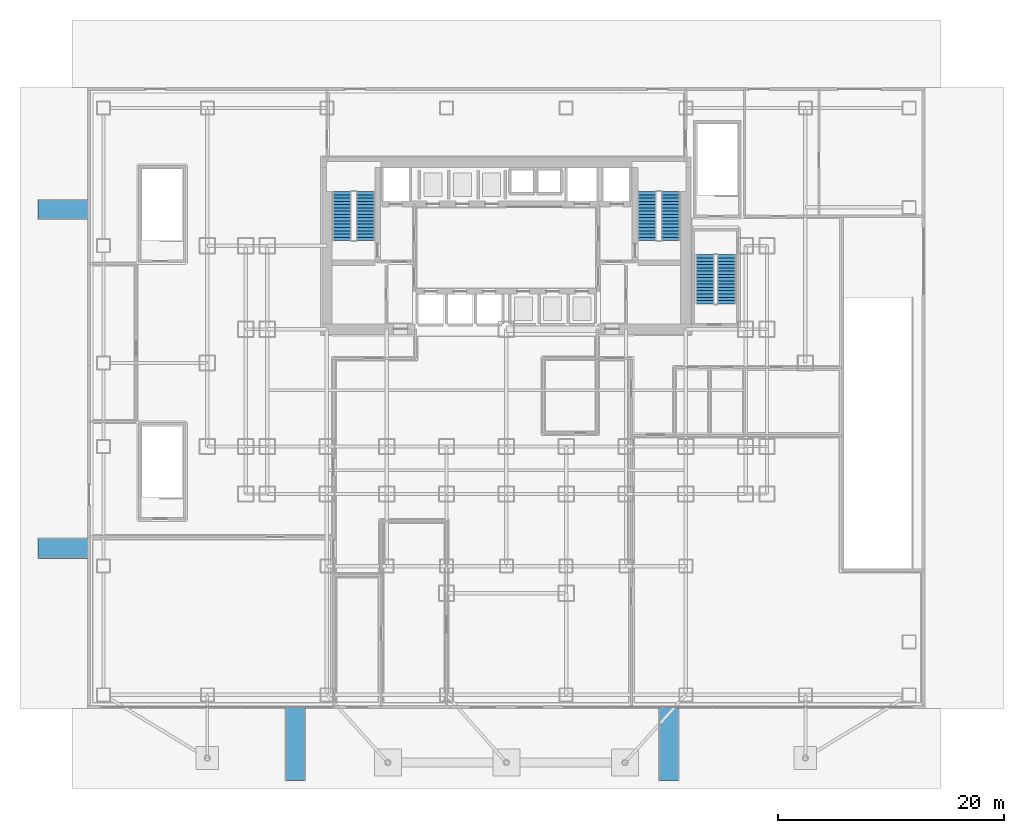
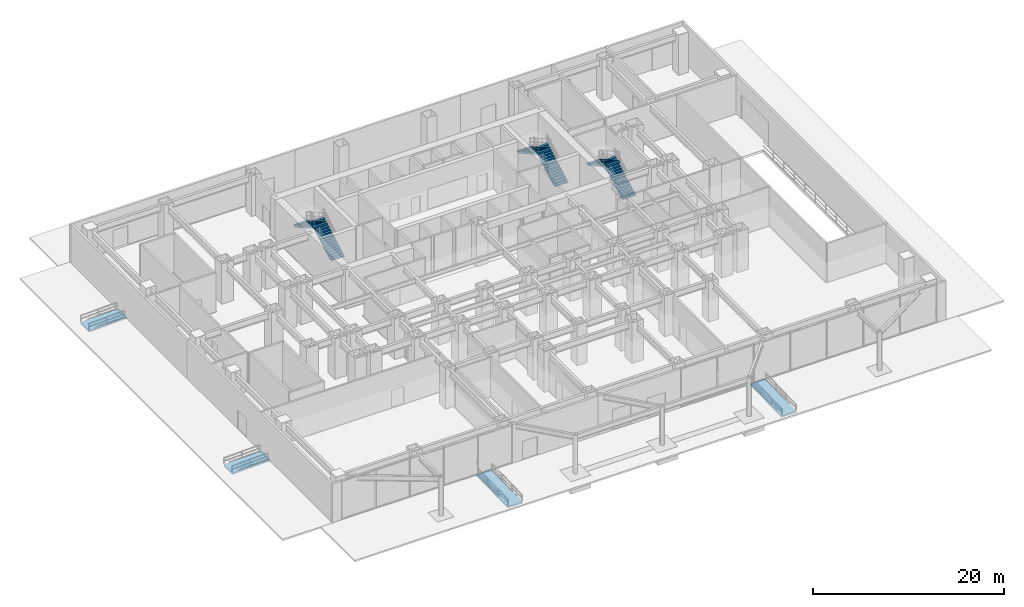
# One storey, part 14 of 18: 6 stair flights, 4 ramp flights, 7 elements without a shape of their own.
"""IFC4 building model written with IfcOpenShell, lengths in metres."""

from ifc_helpers import new_model, si_unit, direction, frame, origin, place, context, subcontext, project, spatial, polyline, outline, extrude, material, layer, layer_set, type_object, element, aggregate, save


model = new_model("IFC4")

# Units and contexts
model_context = context("Model", 3, precision=1e-05, world=origin(), true_north=direction((0.0, 1.0)))
body_context = subcontext(model_context, "Body", "Model", "MODEL_VIEW")
ifc_project = project(units=[si_unit("LENGTHUNIT", "METRE"), si_unit("AREAUNIT", "SQUARE_METRE"), si_unit("VOLUMEUNIT", "CUBIC_METRE"), si_unit("PLANEANGLEUNIT", "RADIAN"), si_unit("MASSUNIT", "GRAM", prefix="KILO")], contexts=[model_context])

# Site, building, storey
site_placement = place(None, origin())
site = spatial("IfcSite", under=ifc_project, at=site_placement, CompositionType="ELEMENT")
building_placement = place(site_placement, origin())
building = spatial("IfcBuilding", under=site, at=building_placement, Name="Qianlan Lanfeng Residences", CompositionType="ELEMENT")
storey_placement = place(building_placement, origin())
storey = spatial("IfcBuildingStorey", under=building, at=storey_placement, Name="L00", CompositionType="ELEMENT", Elevation=0.0)

# Stair, stair flights
ifc_material = material(Name="Concrete C42", Category="concrete")
stair_type_1 = type_object("IfcStairType", Name="STR-POD", PredefinedType="HALF_TURN_STAIR", material=ifc_material)
stair_1_placement = place(storey_placement, origin())
stair_1 = element("IfcStair", 1, at=stair_1_placement, inside=storey, type_object=stair_type_1, Name="L00 Exit Stair ST-P1", PredefinedType="HALF_TURN_STAIR")
stair_flight_type_1 = type_object("IfcStairFlightType", Name="FLT-1650", PredefinedType="STRAIGHT", material=ifc_material)
stair_flight_1_placement = place(storey_placement, frame((46.010009765625, 27.449951171875, 0.0), z_axis=(0.0, 0.0, 1.0), x_axis=(0.0, 1.0, 0.0)))
stair_flight_1 = element("IfcStairFlight", 2, at=stair_flight_1_placement, type_object=stair_flight_type_1, Name="ST-P1 flight 1", NumberOfRisers=16, NumberOfTreads=15, PredefinedType="STRAIGHT", RiserHeight=0.1625, TreadLength=0.29, context=body_context, shape_type="SweptSolid", body=[
    extrude(outline(polyline([(0.0, 0.0), (0.0, 0.16259765625), (0.2900390625, 0.16259765625), (0.2900390625, 0.324951171875), (0.580078125, 0.324951171875), (0.580078125, 0.487548828125), (0.8701171875, 0.487548828125), (0.8701171875, 0.64990234375), (1.159912109375, 0.64990234375), (1.159912109375, 0.8125), (1.449951171875, 0.8125), (1.449951171875, 0.97509765625), (1.739990234375, 0.97509765625), (1.739990234375, 1.137451171875), (2.030029296875, 1.137451171875), (2.030029296875, 1.300048828125), (2.320068359375, 1.300048828125), (2.320068359375, 1.46240234375), (2.610107421875, 1.46240234375), (2.610107421875, 1.625), (2.89990234375, 1.625), (2.89990234375, 1.78759765625), (3.18994140625, 1.78759765625), (3.18994140625, 1.949951171875), (3.47998046875, 1.949951171875), (3.47998046875, 2.112548828125), (3.77001953125, 2.112548828125), (3.77001953125, 2.27490234375), (4.06005859375, 2.27490234375), (4.06005859375, 2.4375), (4.35009765625, 2.4375), (4.35009765625, 2.60009765625), (4.35009765625, 2.231201171875), (0.3681640625, 0.0), (0.0, 0.0)])), frame((0.0, 0.7900390625, 0.0), z_axis=(0.0, -1.0, 0.0), x_axis=(1.0, 0.0, 0.0)), (0.0, 0.0, 1.0), 1.580078125),
])
stair_flight_2_placement = place(storey_placement, frame((44.110107421875, 31.800048828125, 2.60009765625), z_axis=(0.0, 0.0, 1.0), x_axis=(0.0, -1.0, 0.0)))
stair_flight_2 = element("IfcStairFlight", 3, at=stair_flight_2_placement, type_object=stair_flight_type_1, Name="ST-P1 flight 2", NumberOfRisers=16, NumberOfTreads=15, PredefinedType="STRAIGHT", RiserHeight=0.1625, TreadLength=0.29, context=body_context, shape_type="SweptSolid", body=[
    extrude(outline(polyline([(0.0, 0.0), (0.0, 0.16259765625), (0.2900390625, 0.16259765625), (0.2900390625, 0.324951171875), (0.580078125, 0.324951171875), (0.580078125, 0.487548828125), (0.8701171875, 0.487548828125), (0.8701171875, 0.64990234375), (1.159912109375, 0.64990234375), (1.159912109375, 0.8125), (1.449951171875, 0.8125), (1.449951171875, 0.97509765625), (1.739990234375, 0.97509765625), (1.739990234375, 1.137451171875), (2.030029296875, 1.137451171875), (2.030029296875, 1.300048828125), (2.320068359375, 1.300048828125), (2.320068359375, 1.46240234375), (2.610107421875, 1.46240234375), (2.610107421875, 1.625), (2.89990234375, 1.625), (2.89990234375, 1.78759765625), (3.18994140625, 1.78759765625), (3.18994140625, 1.949951171875), (3.47998046875, 1.949951171875), (3.47998046875, 2.112548828125), (3.77001953125, 2.112548828125), (3.77001953125, 2.27490234375), (4.06005859375, 2.27490234375), (4.06005859375, 2.4375), (4.35009765625, 2.4375), (4.35009765625, 2.60009765625), (4.35009765625, 2.231201171875), (0.3681640625, 0.0), (0.0, 0.0)])), frame((0.0, 0.7900390625, 0.0), z_axis=(0.0, -1.0, 0.0), x_axis=(1.0, 0.0, 0.0)), (0.0, 0.0, 1.0), 1.580078125),
])
aggregate(stair_1, [stair_flight_1, stair_flight_2])

stair_type_2 = type_object("IfcStairType", Name="STR-MAIN", PredefinedType="HALF_TURN_STAIR", material=ifc_material)
stair_2_placement = place(storey_placement, origin())
stair_2 = element("IfcStair", 4, at=stair_2_placement, inside=storey, type_object=stair_type_2, Name="L00 Exit Stair ST-1", PredefinedType="HALF_TURN_STAIR")
stair_flight_type_2 = type_object("IfcStairFlightType", Name="FLT-1720", PredefinedType="STRAIGHT", material=ifc_material)
stair_flight_3_placement = place(storey_placement, frame((14.02001953125, 33.050048828125, 0.0), z_axis=(0.0, 0.0, 1.0), x_axis=(0.0, 1.0, 0.0)))
stair_flight_3 = element("IfcStairFlight", 5, at=stair_flight_3_placement, type_object=stair_flight_type_2, Name="ST-1 flight 1", NumberOfRisers=16, NumberOfTreads=15, PredefinedType="STRAIGHT", RiserHeight=0.1625, TreadLength=0.29, context=body_context, shape_type="SweptSolid", body=[
    extrude(outline(polyline([(0.0, 0.0), (0.0, 0.16259765625), (0.2900390625, 0.16259765625), (0.2900390625, 0.324951171875), (0.580078125, 0.324951171875), (0.580078125, 0.487548828125), (0.8701171875, 0.487548828125), (0.8701171875, 0.64990234375), (1.159912109375, 0.64990234375), (1.159912109375, 0.8125), (1.449951171875, 0.8125), (1.449951171875, 0.97509765625), (1.739990234375, 0.97509765625), (1.739990234375, 1.137451171875), (2.030029296875, 1.137451171875), (2.030029296875, 1.300048828125), (2.320068359375, 1.300048828125), (2.320068359375, 1.46240234375), (2.610107421875, 1.46240234375), (2.610107421875, 1.625), (2.89990234375, 1.625), (2.89990234375, 1.78759765625), (3.18994140625, 1.78759765625), (3.18994140625, 1.949951171875), (3.47998046875, 1.949951171875), (3.47998046875, 2.112548828125), (3.77001953125, 2.112548828125), (3.77001953125, 2.27490234375), (4.06005859375, 2.27490234375), (4.06005859375, 2.4375), (4.35009765625, 2.4375), (4.35009765625, 2.60009765625), (4.35009765625, 2.231201171875), (0.3681640625, 0.0), (0.0, 0.0)])), frame((0.0, 0.800048828125, 0.0), z_axis=(0.0, -1.0, 0.0), x_axis=(1.0, 0.0, 0.0)), (0.0, 0.0, 1.0), 1.60009765625),
])
stair_flight_4_placement = place(storey_placement, frame((11.93994140625, 37.39990234375, 2.60009765625), z_axis=(0.0, 0.0, 1.0), x_axis=(0.0, -1.0, 0.0)))
stair_flight_4 = element("IfcStairFlight", 6, at=stair_flight_4_placement, type_object=stair_flight_type_2, Name="ST-1 flight 2", NumberOfRisers=16, NumberOfTreads=15, PredefinedType="STRAIGHT", RiserHeight=0.1625, TreadLength=0.29, context=body_context, shape_type="SweptSolid", body=[
    extrude(outline(polyline([(0.0, 0.0), (0.0, 0.16259765625), (0.2900390625, 0.16259765625), (0.2900390625, 0.324951171875), (0.580078125, 0.324951171875), (0.580078125, 0.487548828125), (0.8701171875, 0.487548828125), (0.8701171875, 0.64990234375), (1.159912109375, 0.64990234375), (1.159912109375, 0.8125), (1.449951171875, 0.8125), (1.449951171875, 0.97509765625), (1.739990234375, 0.97509765625), (1.739990234375, 1.137451171875), (2.030029296875, 1.137451171875), (2.030029296875, 1.300048828125), (2.320068359375, 1.300048828125), (2.320068359375, 1.46240234375), (2.610107421875, 1.46240234375), (2.610107421875, 1.625), (2.89990234375, 1.625), (2.89990234375, 1.78759765625), (3.18994140625, 1.78759765625), (3.18994140625, 1.949951171875), (3.47998046875, 1.949951171875), (3.47998046875, 2.112548828125), (3.77001953125, 2.112548828125), (3.77001953125, 2.27490234375), (4.06005859375, 2.27490234375), (4.06005859375, 2.4375), (4.35009765625, 2.4375), (4.35009765625, 2.60009765625), (4.35009765625, 2.231201171875), (0.3681640625, 0.0), (0.0, 0.0)])), frame((0.0, 0.800048828125, 0.0), z_axis=(0.0, -1.0, 0.0), x_axis=(1.0, 0.0, 0.0)), (0.0, 0.0, 1.0), 1.60009765625),
])
aggregate(stair_2, [stair_flight_3, stair_flight_4])

stair_3_placement = place(storey_placement, origin())
stair_3 = element("IfcStair", 7, at=stair_3_placement, inside=storey, type_object=stair_type_2, Name="L00 Exit Stair ST-2", PredefinedType="HALF_TURN_STAIR")
stair_flight_5_placement = place(storey_placement, frame((41.06005859375, 33.050048828125, 0.0), z_axis=(0.0, 0.0, 1.0), x_axis=(0.0, 1.0, 0.0)))
stair_flight_5 = element("IfcStairFlight", 8, at=stair_flight_5_placement, type_object=stair_flight_type_2, Name="ST-2 flight 1", NumberOfRisers=16, NumberOfTreads=15, PredefinedType="STRAIGHT", RiserHeight=0.1625, TreadLength=0.29, context=body_context, shape_type="SweptSolid", body=[
    extrude(outline(polyline([(0.0, 0.0), (0.0, 0.16259765625), (0.2900390625, 0.16259765625), (0.2900390625, 0.324951171875), (0.580078125, 0.324951171875), (0.580078125, 0.487548828125), (0.8701171875, 0.487548828125), (0.8701171875, 0.64990234375), (1.159912109375, 0.64990234375), (1.159912109375, 0.8125), (1.449951171875, 0.8125), (1.449951171875, 0.97509765625), (1.739990234375, 0.97509765625), (1.739990234375, 1.137451171875), (2.030029296875, 1.137451171875), (2.030029296875, 1.300048828125), (2.320068359375, 1.300048828125), (2.320068359375, 1.46240234375), (2.610107421875, 1.46240234375), (2.610107421875, 1.625), (2.89990234375, 1.625), (2.89990234375, 1.78759765625), (3.18994140625, 1.78759765625), (3.18994140625, 1.949951171875), (3.47998046875, 1.949951171875), (3.47998046875, 2.112548828125), (3.77001953125, 2.112548828125), (3.77001953125, 2.27490234375), (4.06005859375, 2.27490234375), (4.06005859375, 2.4375), (4.35009765625, 2.4375), (4.35009765625, 2.60009765625), (4.35009765625, 2.231201171875), (0.3681640625, 0.0), (0.0, 0.0)])), frame((0.0, 0.800048828125, 0.0), z_axis=(0.0, -1.0, 0.0), x_axis=(1.0, 0.0, 0.0)), (0.0, 0.0, 1.0), 1.60009765625),
])
stair_flight_6_placement = place(storey_placement, frame((38.97998046875, 37.39990234375, 2.60009765625), z_axis=(0.0, 0.0, 1.0), x_axis=(0.0, -1.0, 0.0)))
stair_flight_6 = element("IfcStairFlight", 9, at=stair_flight_6_placement, type_object=stair_flight_type_2, Name="ST-2 flight 2", NumberOfRisers=16, NumberOfTreads=15, PredefinedType="STRAIGHT", RiserHeight=0.1625, TreadLength=0.29, context=body_context, shape_type="SweptSolid", body=[
    extrude(outline(polyline([(0.0, 0.0), (0.0, 0.16259765625), (0.2900390625, 0.16259765625), (0.2900390625, 0.324951171875), (0.580078125, 0.324951171875), (0.580078125, 0.487548828125), (0.8701171875, 0.487548828125), (0.8701171875, 0.64990234375), (1.159912109375, 0.64990234375), (1.159912109375, 0.8125), (1.449951171875, 0.8125), (1.449951171875, 0.97509765625), (1.739990234375, 0.97509765625), (1.739990234375, 1.137451171875), (2.030029296875, 1.137451171875), (2.030029296875, 1.300048828125), (2.320068359375, 1.300048828125), (2.320068359375, 1.46240234375), (2.610107421875, 1.46240234375), (2.610107421875, 1.625), (2.89990234375, 1.625), (2.89990234375, 1.78759765625), (3.18994140625, 1.78759765625), (3.18994140625, 1.949951171875), (3.47998046875, 1.949951171875), (3.47998046875, 2.112548828125), (3.77001953125, 2.112548828125), (3.77001953125, 2.27490234375), (4.06005859375, 2.27490234375), (4.06005859375, 2.4375), (4.35009765625, 2.4375), (4.35009765625, 2.60009765625), (4.35009765625, 2.231201171875), (0.3681640625, 0.0), (0.0, 0.0)])), frame((0.0, 0.800048828125, 0.0), z_axis=(0.0, -1.0, 0.0), x_axis=(1.0, 0.0, 0.0)), (0.0, 0.0, 1.0), 1.60009765625),
])
aggregate(stair_3, [stair_flight_5, stair_flight_6])

# Ramp, ramp flight
ramp_type = type_object("IfcRampType", Name="RMP-PED-1800", PredefinedType="STRAIGHT_RUN_RAMP", material=ifc_material)
ramp_1_placement = place(storey_placement, origin())
ramp_1 = element("IfcRamp", 10, at=ramp_1_placement, inside=storey, type_object=ramp_type, Name="Accessible Pedestrian Ramp RP-1", PredefinedType="STRAIGHT_RUN_RAMP")
ifc_layer = layer(ifc_material, 0.199951171875)
ifc_layer_set = layer_set([ifc_layer], Name="Concrete C42")
ramp_flight_type = type_object("IfcRampFlightType", Name="RF-PED-200", PredefinedType="STRAIGHT", material=ifc_layer_set)
ramp_flight_1_placement = place(storey_placement, frame((7.7998046875, -14.800048828125, -0.14990234375), z_axis=(0.0, 0.0, 1.0), x_axis=(0.0, 1.0, 0.0)))
ramp_flight_1 = element("IfcRampFlight", 11, at=ramp_flight_1_placement, type_object=ramp_flight_type, Name="Accessible Pedestrian Ramp RP-1 Flight", PredefinedType="STRAIGHT", context=body_context, shape_type="SweptSolid", body=[
    extrude(outline(polyline([(0.0, -0.199951171875), (6.550048828125, -0.050048828125), (6.550048828125, 0.14990234375), (0.0, 0.0), (0.0, -0.199951171875)])), frame((0.0, 0.89990234375, 0.0), z_axis=(0.0, -1.0, 0.0), x_axis=(1.0, 0.0, 0.0)), (0.0, 0.0, 1.0), 1.800048828125),
])
aggregate(ramp_1, [ramp_flight_1])

ramp_2_placement = place(storey_placement, origin())
ramp_2 = element("IfcRamp", 12, at=ramp_2_placement, inside=storey, type_object=ramp_type, Name="Accessible Pedestrian Ramp RP-2", PredefinedType="STRAIGHT_RUN_RAMP")
ramp_flight_2_placement = place(storey_placement, frame((40.89990234375, -14.800048828125, -0.14990234375), z_axis=(0.0, 0.0, 1.0), x_axis=(0.0, 1.0, 0.0)))
ramp_flight_2 = element("IfcRampFlight", 13, at=ramp_flight_2_placement, type_object=ramp_flight_type, Name="Accessible Pedestrian Ramp RP-2 Flight", PredefinedType="STRAIGHT", context=body_context, shape_type="SweptSolid", body=[
    extrude(outline(polyline([(0.0, -0.199951171875), (6.550048828125, -0.050048828125), (6.550048828125, 0.14990234375), (0.0, 0.0), (0.0, -0.199951171875)])), frame((0.0, 0.89990234375, 0.0), z_axis=(0.0, -1.0, 0.0), x_axis=(1.0, 0.0, 0.0)), (0.0, 0.0, 1.0), 1.800048828125),
])
aggregate(ramp_2, [ramp_flight_2])

ramp_3_placement = place(storey_placement, origin())
ramp_3 = element("IfcRamp", 14, at=ramp_3_placement, inside=storey, type_object=ramp_type, Name="Accessible Pedestrian Ramp RP-3", PredefinedType="STRAIGHT_RUN_RAMP")
ramp_flight_3_placement = place(storey_placement, frame((-15.0, 5.7998046875, -0.14990234375), z_axis=(0.0, 0.0, 1.0), x_axis=(1.0, 0.0, 0.0)))
ramp_flight_3 = element("IfcRampFlight", 15, at=ramp_flight_3_placement, type_object=ramp_flight_type, Name="Accessible Pedestrian Ramp RP-3 Flight", PredefinedType="STRAIGHT", context=body_context, shape_type="SweptSolid", body=[
    extrude(outline(polyline([(0.0, -0.199951171875), (4.550048828125, -0.050048828125), (4.550048828125, 0.14990234375), (0.0, 0.0), (0.0, -0.199951171875)])), frame((0.0, 0.89990234375, 0.0), z_axis=(0.0, -1.0, 0.0), x_axis=(1.0, 0.0, 0.0)), (0.0, 0.0, 1.0), 1.800048828125),
])
aggregate(ramp_3, [ramp_flight_3])

ramp_4_placement = place(storey_placement, origin())
ramp_4 = element("IfcRamp", 16, at=ramp_4_placement, inside=storey, type_object=ramp_type, Name="Accessible Pedestrian Ramp RP-4", PredefinedType="STRAIGHT_RUN_RAMP")
ramp_flight_4_placement = place(storey_placement, frame((-15.0, 35.7998046875, -0.14990234375), z_axis=(0.0, 0.0, 1.0), x_axis=(1.0, 0.0, 0.0)))
ramp_flight_4 = element("IfcRampFlight", 17, at=ramp_flight_4_placement, type_object=ramp_flight_type, Name="Accessible Pedestrian Ramp RP-4 Flight", PredefinedType="STRAIGHT", context=body_context, shape_type="SweptSolid", body=[
    extrude(outline(polyline([(0.0, -0.199951171875), (4.550048828125, -0.050048828125), (4.550048828125, 0.14990234375), (0.0, 0.0), (0.0, -0.199951171875)])), frame((0.0, 0.89990234375, 0.0), z_axis=(0.0, -1.0, 0.0), x_axis=(1.0, 0.0, 0.0)), (0.0, 0.0, 1.0), 1.800048828125),
])
aggregate(ramp_4, [ramp_flight_4])

save(model, "model.ifc")
